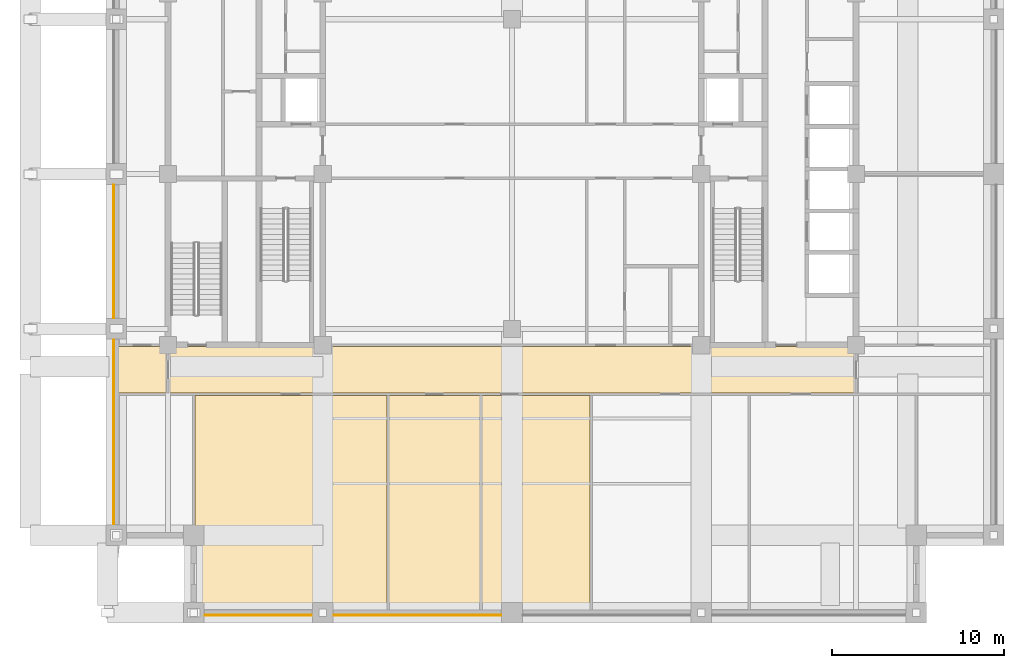
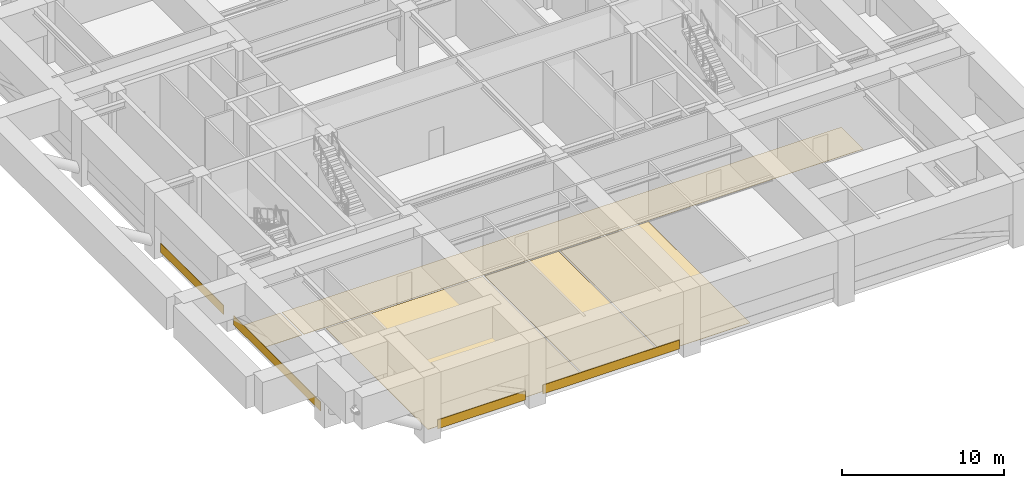
# One storey, part 7 of 11: 9 coverings.
"""IFC4 building model written with IfcOpenShell, lengths in metres."""

from ifc_helpers import new_model, si_unit, direction, frame, frame_2d, origin, place, context, subcontext, project, spatial, polyline, rectangle, outline, extrude, material, layer, layer_set, type_object, element, save


model = new_model("IFC4")

# Units and contexts
model_context = context("Model", 3, precision=1e-05, world=origin(), true_north=direction((0.0, 1.0)))
body_context = subcontext(model_context, "Body", "Model", "MODEL_VIEW")
ifc_project = project(units=[si_unit("LENGTHUNIT", "METRE"), si_unit("AREAUNIT", "SQUARE_METRE"), si_unit("VOLUMEUNIT", "CUBIC_METRE"), si_unit("PLANEANGLEUNIT", "RADIAN"), si_unit("MASSUNIT", "GRAM", prefix="KILO")], contexts=[model_context])

# Site, building, storey
site_placement = place(None, origin())
site = spatial("IfcSite", under=ifc_project, at=site_placement, CompositionType="ELEMENT")
building_placement = place(site_placement, origin())
building = spatial("IfcBuilding", under=site, at=building_placement, Name="Zulmaris Gate Convention Tower", CompositionType="ELEMENT")
storey_placement = place(building_placement, frame((0.0, 0.0, 116.349853515625)))
storey = spatial("IfcBuildingStorey", under=building, at=storey_placement, Name="L29", CompositionType="ELEMENT", Elevation=116.349853515625)

# Coverings
ifc_material_1 = material(Name="Precast concrete C40/50", Category="concrete")
ifc_layer_1 = layer(ifc_material_1, 0.0400390625, Name="Precast concrete C40/50")
ifc_layer_set_1 = layer_set([ifc_layer_1], Name="Precast concrete C40/50")
covering_type_1 = type_object("IfcCoveringType", Name="CLAD-SPANDREL-PRECAST", PredefinedType="CLADDING", material=ifc_layer_set_1)
covering_1_placement = place(storey_placement, frame((-17.8701171875, -25.64990234375, 0.0), z_axis=(0.0, 0.0, 1.0), x_axis=(1.0, 0.0, 0.0)))
element("IfcCovering", 1, at=covering_1_placement, inside=storey, type_object=covering_type_1, Name="CLD-L29-S-0_0", PredefinedType="CLADDING", context=body_context, shape_type="SweptSolid", body=[
    extrude(rectangle(XDim=6.240234375, YDim=0.0400390625, at=frame_2d((3.1201171875, 0.0))), origin(), (0.0, 0.0, 1.0), 0.679931640625),
])
covering_2_placement = place(storey_placement, frame((-10.3701171875, -25.64990234375, 0.0), z_axis=(0.0, 0.0, 1.0), x_axis=(1.0, 0.0, 0.0)))
element("IfcCovering", 2, at=covering_2_placement, inside=storey, type_object=covering_type_1, Name="CLD-L29-S-1_0", PredefinedType="CLADDING", context=body_context, shape_type="SweptSolid", body=[
    extrude(rectangle(XDim=9.740234375, YDim=0.0400390625, at=frame_2d((4.8701171875, 0.0))), origin(), (0.0, 0.0, 1.0), 0.679931640625),
])
covering_3_placement = place(storey_placement, frame((-23.14990234375, -9.6298828125, 0.0), z_axis=(0.0, 0.0, 1.0), x_axis=(0.0, -1.0, 0.0)))
element("IfcCovering", 3, at=covering_3_placement, inside=storey, type_object=covering_type_1, Name="CLD-L29-W-0_0", PredefinedType="CLADDING", context=body_context, shape_type="SweptSolid", body=[
    extrude(rectangle(XDim=10.740234375, YDim=0.0400390625, at=frame_2d((5.3701171875, 0.0))), origin(), (0.0, 0.0, 1.0), 0.679931640625),
])
covering_4_placement = place(storey_placement, frame((-23.14990234375, -0.6298828125, 0.0), z_axis=(0.0, 0.0, 1.0), x_axis=(0.0, -1.0, 0.0)))
element("IfcCovering", 4, at=covering_4_placement, inside=storey, type_object=covering_type_1, Name="CLD-L29-W-1_0", PredefinedType="CLADDING", context=body_context, shape_type="SweptSolid", body=[
    extrude(rectangle(XDim=7.740234375, YDim=0.0400390625, at=frame_2d((3.8701171875, 0.0))), origin(), (0.0, 0.0, 1.0), 0.679931640625),
])
ifc_material_2 = material(Name="Woven Acoustic Wool Carpet Tile")
ifc_layer_2 = layer(ifc_material_2, 0.02001953125, Name="Woven Acoustic Wool Carpet Tile")
ifc_layer_set_2 = layer_set([ifc_layer_2], Name="Woven Acoustic Wool Carpet Tile")
covering_type_2 = type_object("IfcCoveringType", Name="FLR-CARPET-12", PredefinedType="FLOORING", material=ifc_layer_set_2)
covering_5_placement = place(storey_placement, origin())
element("IfcCovering", 5, at=covering_5_placement, inside=storey, type_object=covering_type_2, Name="FLR-L29-R31", PredefinedType="FLOORING", context=body_context, shape_type="SweptSolid", body=[
    extrude(outline(polyline([(-19.93994140625, -12.739990234375), (19.93994140625, -12.739990234375), (19.93994140625, -10.010009765625), (-19.93994140625, -10.010009765625), (-19.93994140625, -12.739990234375)])), origin(), (0.0, 0.0, 1.0), 0.02001953125),
])
covering_6_placement = place(storey_placement, origin())
element("IfcCovering", 6, at=covering_6_placement, inside=storey, type_object=covering_type_2, Name="FLR-L29-R37", PredefinedType="FLOORING", context=body_context, shape_type="SweptSolid", body=[
    extrude(outline(polyline([(-18.43994140625, -25.43994140625), (-7.260009765625, -25.43994140625), (-7.260009765625, -12.860107421875), (-18.43994140625, -12.860107421875), (-18.43994140625, -25.43994140625)])), origin(), (0.0, 0.0, 1.0), 0.02001953125),
])
covering_7_placement = place(storey_placement, origin())
element("IfcCovering", 7, at=covering_7_placement, inside=storey, type_object=covering_type_2, Name="FLR-L29-R38", PredefinedType="FLOORING", context=body_context, shape_type="SweptSolid", body=[
    extrude(outline(polyline([(-7.139892578125, -25.43994140625), (-1.860107421875, -25.43994140625), (-1.860107421875, -12.860107421875), (-7.139892578125, -12.860107421875), (-7.139892578125, -25.43994140625)])), origin(), (0.0, 0.0, 1.0), 0.02001953125),
])
covering_8_placement = place(storey_placement, origin())
element("IfcCovering", 8, at=covering_8_placement, inside=storey, type_object=covering_type_2, Name="FLR-L29-R39", PredefinedType="FLOORING", context=body_context, shape_type="SweptSolid", body=[
    extrude(outline(polyline([(-1.739990234375, -25.43994140625), (4.5400390625, -25.43994140625), (4.5400390625, -12.860107421875), (-1.739990234375, -12.860107421875), (-1.739990234375, -25.43994140625)])), origin(), (0.0, 0.0, 1.0), 0.02001953125),
])
covering_9_placement = place(storey_placement, origin())
element("IfcCovering", 9, at=covering_9_placement, inside=storey, type_object=covering_type_2, Name="FLR-L29-R49", PredefinedType="FLOORING", context=body_context, shape_type="SweptSolid", body=[
    extrude(outline(polyline([(-22.93994140625, -12.739990234375), (-20.06005859375, -12.739990234375), (-20.06005859375, -10.010009765625), (-22.93994140625, -10.010009765625), (-22.93994140625, -12.739990234375)])), origin(), (0.0, 0.0, 1.0), 0.02001953125),
])

save(model, "model.ifc")
